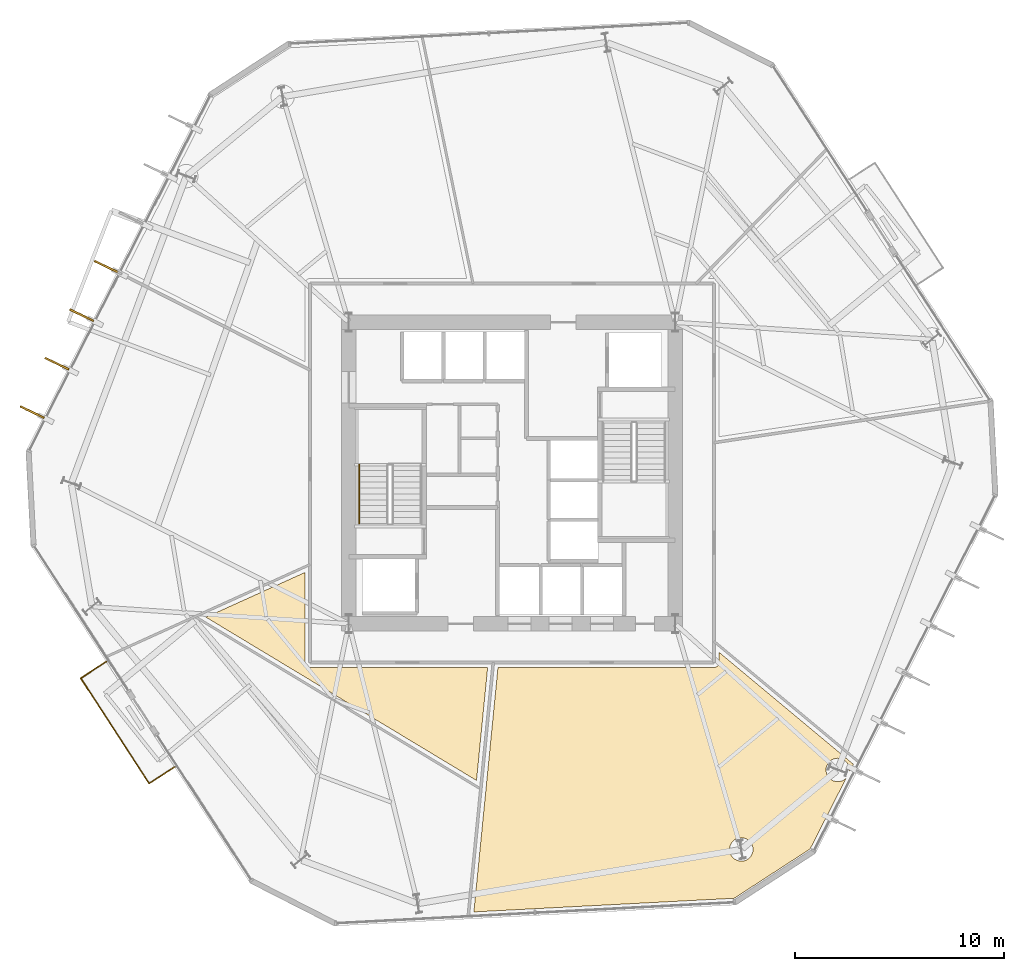
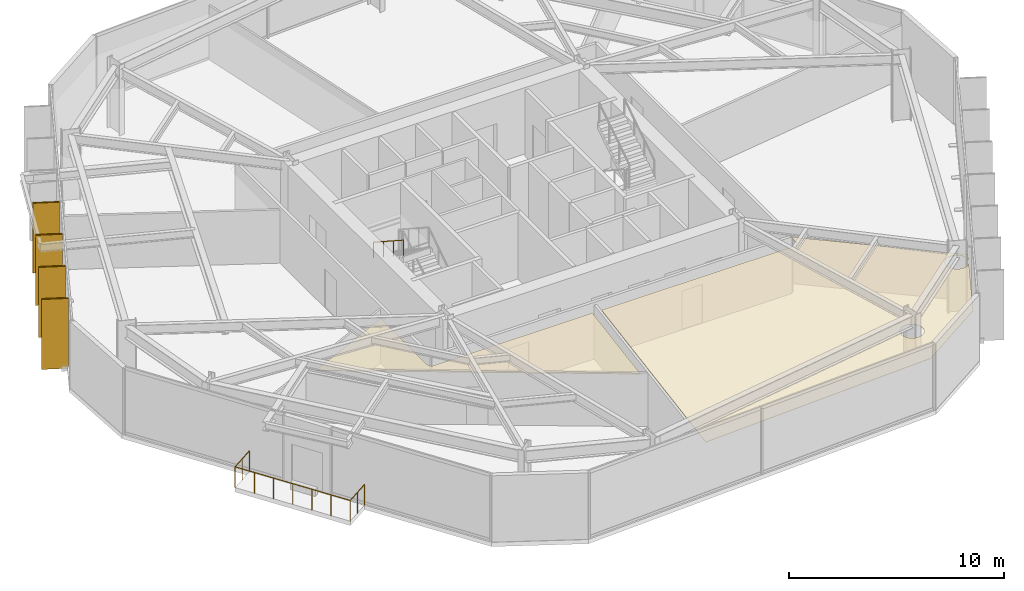
# One storey, part 8 of 10: 6 coverings, 4 shading devices, 2 railings.
"""IFC4 building model written with IfcOpenShell, lengths in metres."""

import ifcopenshell
import ifcopenshell.guid

model = None  # the IFC model being written
_history = None  # IfcOwnerHistory: only IFC2X3 demands one
_inside = {}  # id of a spatial element -> (the spatial element, [elements in it])
_under = {}  # id of a project, library or spatial element -> (it, [spatial elements below it])
_declared = {}  # id of a project -> (the project, [libraries it declares])
_typed = {}  # id of a type object -> (the type object, [elements of that type])
_made_of = {}  # id of a material, layer set ... -> (it, [elements and type objects made of it])


def new_model(schema):
    """Start an empty IFC model of exactly this schema.

    Asked for "IFC4X3", IfcOpenShell would pick the latest addendum, in which some entities
    have other attributes; the version numbers below select the first issue.
    IFC2X3 requires an IfcOwnerHistory on every rooted entity: one is made here for all.
    """
    global model, _history
    if schema == "IFC4X3":
        model = ifcopenshell.file(schema_version=(4, 3, 0, 0))
    else:
        model = ifcopenshell.file(schema=schema)
    _inside.clear()
    _under.clear()
    _declared.clear()
    _typed.clear()
    _made_of.clear()
    _history = None
    if model.schema == "IFC2X3":
        org = make("IfcOrganization", Name="unknown")
        user = make(
            "IfcPersonAndOrganization",
            ThePerson=make("IfcPerson", FamilyName="unknown"),
            TheOrganization=org,
        )
        app = make(
            "IfcApplication",
            ApplicationDeveloper=org,
            Version="unknown",
            ApplicationFullName="unknown",
            ApplicationIdentifier="unknown",
        )
        _history = make(
            "IfcOwnerHistory",
            OwningUser=user,
            OwningApplication=app,
            ChangeAction="ADDED",
            CreationDate=0,
        )
    return model


def make(cls, **values):
    """One entity of the class cls with the attributes given. An attribute that is None is left unset."""
    return model.create_entity(
        cls, **{name: value for name, value in values.items() if value is not None}
    )


def rooted(cls, **values):
    """An entity with a GlobalId (a new one), such as an element, a storey or a relation."""
    return make(cls, GlobalId=ifcopenshell.guid.new(), OwnerHistory=_history, **values)


def si_unit(unit_type, name, prefix=None):
    """IfcSIUnit, for example si_unit("LENGTHUNIT", "METRE", prefix="MILLI")."""
    return make("IfcSIUnit", UnitType=unit_type, Prefix=prefix, Name=name)


def assignment(units):
    """IfcUnitAssignment: the units of a project."""
    return None if units is None else make("IfcUnitAssignment", Units=units)


def point(xyz):
    """IfcCartesianPoint."""
    return None if xyz is None else make("IfcCartesianPoint", Coordinates=xyz)


def direction(xyz):
    """IfcDirection."""
    return None if xyz is None else make("IfcDirection", DirectionRatios=xyz)


def frame(location, z_axis=None, x_axis=None):
    """IfcAxis2Placement3D, a coordinate frame: its origin and axes. An axis left out is left unset."""
    return make(
        "IfcAxis2Placement3D",
        Location=point(location),
        Axis=direction(z_axis),
        RefDirection=direction(x_axis),
    )


def frame_2d(location, x_axis=None):
    """IfcAxis2Placement2D, a coordinate frame in the plane: its origin and x axis."""
    return make(
        "IfcAxis2Placement2D", Location=point(location), RefDirection=direction(x_axis)
    )


def origin():
    """The frame at (0, 0, 0) with its axes left unset."""
    return frame((0.0, 0.0, 0.0))


def origin_2d():
    """The frame at (0, 0) in the plane with its x axis left unset."""
    return frame_2d((0.0, 0.0))


def place(relative_to, where):
    """IfcLocalPlacement: puts the frame where relative to a parent placement (None: the world)."""
    return make(
        "IfcLocalPlacement", PlacementRelTo=relative_to, RelativePlacement=where
    )


def context(
    kind, dimensions, precision=None, world=None, true_north=None, identifier=None
):
    """IfcGeometricRepresentationContext, for example the 3D "Model" context."""
    return make(
        "IfcGeometricRepresentationContext",
        ContextIdentifier=identifier,
        ContextType=kind,
        CoordinateSpaceDimension=dimensions,
        Precision=precision,
        WorldCoordinateSystem=world,
        TrueNorth=true_north,
    )


def subcontext(parent, identifier, kind, view, scale=None):
    """IfcGeometricRepresentationSubContext, for example "Body" below "Model"."""
    return make(
        "IfcGeometricRepresentationSubContext",
        ContextIdentifier=identifier,
        ContextType=kind,
        ParentContext=parent,
        TargetScale=scale,
        TargetView=view,
    )


def project(units=None, contexts=None):
    """IfcProject with its units and contexts."""
    return rooted(
        "IfcProject",
        Name="project",
        RepresentationContexts=contexts,
        UnitsInContext=assignment(units),
    )


def spatial(cls, under=None, at=None, **own):
    """A site, building, storey or space (cls), placed at a placement, below another one or the project."""
    s = rooted(cls, ObjectPlacement=at, **own)
    if under is not None:
        _under.setdefault(under.id(), (under, []))[1].append(s)
    return s


def polyline(points):
    """IfcPolyline through the points."""
    return make("IfcPolyline", Points=[point(p) for p in points])


def profile(cls, at=None, kind="AREA", **sizes):
    """A parametric profile (cls). Its sizes go by their IFC names, for example OverallWidth=200.0."""
    return make(cls, ProfileType=kind, Position=at, **sizes)


def rectangle(**sizes):
    """IfcRectangleProfileDef."""
    return profile("IfcRectangleProfileDef", **sizes)


def circle(**sizes):
    """IfcCircleProfileDef."""
    return profile("IfcCircleProfileDef", **sizes)


def outline(outer, holes=None, kind="AREA"):
    """IfcArbitraryClosedProfileDef: a profile drawn as a closed curve; with holes, ...WithVoids."""
    if holes is None:
        return make("IfcArbitraryClosedProfileDef", ProfileType=kind, OuterCurve=outer)
    return make(
        "IfcArbitraryProfileDefWithVoids",
        ProfileType=kind,
        OuterCurve=outer,
        InnerCurves=holes,
    )


def extrude(swept, where, along, depth):
    """IfcExtrudedAreaSolid: the profile swept, set in the frame where, extruded along a direction by depth."""
    return make(
        "IfcExtrudedAreaSolid",
        SweptArea=swept,
        Position=where,
        ExtrudedDirection=direction(along),
        Depth=depth,
    )


def shape(context_of_items, identifier, shape_type, items):
    """IfcShapeRepresentation: the items that make up one representation, for example the "Body"."""
    return make(
        "IfcShapeRepresentation",
        ContextOfItems=context_of_items,
        RepresentationIdentifier=identifier,
        RepresentationType=shape_type,
        Items=items,
    )


def material(Name=None, Category=None):
    """IfcMaterial."""
    return make("IfcMaterial", Name=Name, Category=Category)


def layer(
    of_material, thickness, ventilated=None, Name=None, Category=None, Priority=None
):
    """IfcMaterialLayer: one layer of a wall or slab, of a material (None: an air gap)."""
    return make(
        "IfcMaterialLayer",
        Material=of_material,
        LayerThickness=thickness,
        IsVentilated=ventilated,
        Name=Name,
        Category=Category,
        Priority=Priority,
    )


def layer_set(layers, Name=None):
    """IfcMaterialLayerSet."""
    return make("IfcMaterialLayerSet", MaterialLayers=layers, LayerSetName=Name)


def made_of(thing, what):
    """Note that an element or type object is made of a material, layer set ...; save() writes the relation."""
    if what is not None:
        _made_of.setdefault(what.id(), (what, []))[1].append(thing)
    return thing


def type_object(cls, material=None, **own):
    """A type object (cls), such as IfcWallType, which elements share."""
    return made_of(rooted(cls, **own), material)


def element(
    cls,
    number,
    at=None,
    inside=None,
    cuts=None,
    type_object=None,
    material=None,
    context=None,
    identifier="Body",
    shape_type=None,
    held_by="IfcProductDefinitionShape",
    body=None,
    shapes=None,
    **own,
):
    """One element of the class cls, such as IfcWall. Its Tag is "e" and its number.

    at: its placement. inside: the storey or other place that contains it. cuts: it is an
    opening in that element (IfcRelVoidsElement). A single representation is given by context,
    identifier, shape_type and body (its items); several are given by shapes. held_by: the class
    of the entity that holds the representations. save() writes the other relations.
    """
    e = rooted(cls, Tag="e%d" % number, ObjectPlacement=at, **own)
    if body is not None:
        shapes = [shape(context, identifier, shape_type, body)]
    if shapes is not None:
        e.Representation = make(held_by, Representations=shapes)
    if inside is not None:
        _inside.setdefault(inside.id(), (inside, []))[1].append(e)
    if cuts is not None:
        rooted(
            "IfcRelVoidsElement", RelatingBuildingElement=cuts, RelatedOpeningElement=e
        )
    if type_object is not None:
        _typed.setdefault(type_object.id(), (type_object, []))[1].append(e)
    return made_of(e, material)


def aggregate(whole, parts):
    """IfcRelAggregates: a whole, such as a stair, and the parts it consists of."""
    return rooted("IfcRelAggregates", RelatingObject=whole, RelatedObjects=parts)


def save(model, path):
    """Write the relations noted so far, then the file.

    IfcRelAggregates (storeys below a building ...), IfcRelContainedInSpatialStructure (elements
    in a storey), IfcRelDefinesByType, IfcRelAssociatesMaterial and IfcRelDeclares: one each for
    every whole, place, type object, material and project.
    """
    for whole, parts in _under.values():
        aggregate(whole, parts)
    for where, things in _inside.values():
        rooted(
            "IfcRelContainedInSpatialStructure",
            RelatedElements=things,
            RelatingStructure=where,
        )
    for kind, things in _typed.values():
        rooted("IfcRelDefinesByType", RelatedObjects=things, RelatingType=kind)
    for what, things in _made_of.values():
        rooted("IfcRelAssociatesMaterial", RelatedObjects=things, RelatingMaterial=what)
    for by, libraries in _declared.values():
        rooted("IfcRelDeclares", RelatingContext=by, RelatedDefinitions=libraries)
    model.write(path)


model = new_model("IFC4")

# Units and contexts
model_context = context("Model", 3, precision=1e-05, world=origin(), true_north=direction((0.0, 1.0)))
body_context = subcontext(model_context, "Body", "Model", "MODEL_VIEW")
ifc_project = project(units=[si_unit("LENGTHUNIT", "METRE"), si_unit("AREAUNIT", "SQUARE_METRE"), si_unit("VOLUMEUNIT", "CUBIC_METRE"), si_unit("PLANEANGLEUNIT", "RADIAN"), si_unit("MASSUNIT", "GRAM", prefix="KILO")], contexts=[model_context])

# Site, building, storey
site_placement = place(None, origin())
site = spatial("IfcSite", under=ifc_project, at=site_placement, CompositionType="ELEMENT")
building_placement = place(site_placement, origin())
building = spatial("IfcBuilding", under=site, at=building_placement, Name="Kranzbogen Civic Tower", CompositionType="ELEMENT")
storey_placement = place(building_placement, frame((0.0, 0.0, 32.0)))
storey = spatial("IfcBuildingStorey", under=building, at=storey_placement, Name="L07", CompositionType="ELEMENT", Elevation=32.0)

# Coverings
ifc_material_1 = material(Name="Pale Anodised Aluminium", Category="aluminium")
ifc_layer_1 = layer(ifc_material_1, 0.02490234375, Name="Pale Anodised Aluminium")
ifc_layer_set_1 = layer_set([ifc_layer_1], Name="Pale Anodised Aluminium")
covering_type_1 = type_object("IfcCoveringType", Name="Anodised Aluminium Vertical Fin Cladding 25 mm", PredefinedType="CLADDING", material=ifc_layer_set_1)
for number, where, z_axis, x_axis, name in (
    (1, (5.614013671875, 34.861083984375, -0.139892578125), (0.0, 0.0, 1.0), (-0.901190522124, 0.433423168316, 0.0), "L07 vertical fin pale-metal cladding F3-4"),
    (2, (4.43408203125, 32.544921875, -0.139892578125), (0.0, 0.0, 1.0), (-0.901190522124, 0.433423168316, 0.0), "L07 vertical fin pale-metal cladding F3-5"),
    (3, (3.2529296875, 30.22802734375, -0.139892578125), (0.0, 0.0, 1.0), (-0.901190522124, 0.433423168316, 0.0), "L07 vertical fin pale-metal cladding F3-6"),
    (4, (2.072998046875, 27.910888671875, -0.139892578125), (0.0, 0.0, 1.0), (-0.901190522124, 0.433423168316, 0.0), "L07 vertical fin pale-metal cladding F3-7"),
):
    element("IfcCovering", number, at=place(storey_placement, frame(where, z_axis=z_axis, x_axis=x_axis)), inside=storey, type_object=covering_type_1, Name=name, PredefinedType="CLADDING", context=body_context, shape_type="SweptSolid", body=[
        extrude(rectangle(XDim=1.25, YDim=0.10009765625, at=origin_2d()), origin(), (0.0, 0.0, 1.0), 3.9599609375),
    ])

# Shading devices
ifc_material_2 = material(Name="Anodised Bronze Aluminium", Category="aluminium")
shading_device_type = type_object("IfcShadingDeviceType", Name="Anodised Bronze Vertical Facade Fin 1250x80", PredefinedType="USERDEFINED", material=ifc_material_2)
for number, where, z_axis, x_axis, name in (
    (5, (5.614013671875, 34.861083984375, -0.139892578125), (0.0, 0.0, 1.0), (-0.901190522124, 0.433423168316, 0.0), "L07 vertical exterior shading fin F3-4"),
    (6, (4.43408203125, 32.544921875, -0.139892578125), (0.0, 0.0, 1.0), (-0.901190522124, 0.433423168316, 0.0), "L07 vertical exterior shading fin F3-5"),
    (7, (3.2529296875, 30.22802734375, -0.139892578125), (0.0, 0.0, 1.0), (-0.901190522124, 0.433423168316, 0.0), "L07 vertical exterior shading fin F3-6"),
    (8, (2.072998046875, 27.910888671875, -0.139892578125), (0.0, 0.0, 1.0), (-0.901190522124, 0.433423168316, 0.0), "L07 vertical exterior shading fin F3-7"),
):
    element("IfcShadingDevice", number, at=place(storey_placement, frame(where, z_axis=z_axis, x_axis=x_axis)), inside=storey, type_object=shading_device_type, Name=name, ObjectType="FIN", PredefinedType="USERDEFINED", context=body_context, shape_type="SweptSolid", body=[
        extrude(rectangle(XDim=1.25, YDim=0.080078125, at=origin_2d()), origin(), (0.0, 0.0, 1.0), 3.9599609375),
    ])

# Railing
railing_type_1 = type_object("IfcRailingType", Name="Cantilevered Balcony Glass and Bronze Balustrade 1200", PredefinedType="BALUSTRADE", material=ifc_material_2)
railing_1_placement = place(storey_placement, frame((5.60693359375, 15.98291015625, 0.0)))
element("IfcRailing", 9, at=railing_1_placement, inside=storey, type_object=railing_type_1, Name="L07 exterior terrace balustrade L07-TB1", PredefinedType="BALUSTRADE", context=body_context, shape_type="SweptSolid", body=[
    extrude(circle(Radius=0.02392578125, at=origin_2d()), frame((0.0, 0.0, 1.17578125), z_axis=(-0.838597474604, -0.544751572359, 0.0), x_axis=(0.544751572359, -0.838597474604, 0.0)), (0.0, 0.0, 1.0), 1.44970703125),
    extrude(circle(Radius=0.02392578125, at=origin_2d()), frame((-1.2158203125, -0.789794921875, 1.17578125), z_axis=(0.544622169208, -0.838681520487, 0.0), x_axis=(0.838681520487, 0.544622169208, 0.0)), (0.0, 0.0, 1.0), 6.000244140625),
    extrude(circle(Radius=0.02392578125, at=origin_2d()), frame((2.052001953125, -5.822021484375, 1.17578125), z_axis=(0.83857052467, 0.544793057183, 0.0), x_axis=(-0.544793057183, 0.83857052467, 0.0)), (0.0, 0.0, 1.0), 1.4501953125),
    extrude(circle(Radius=0.02099609375, at=origin_2d()), origin(), (0.0, 0.0, 1.0), 1.15185546875),
    extrude(circle(Radius=0.02099609375, at=origin_2d()), frame((-0.60791015625, -0.39501953125, 0.0)), (0.0, 0.0, 1.0), 1.15185546875),
    extrude(circle(Radius=0.02099609375, at=origin_2d()), frame((-1.2158203125, -0.789794921875, 0.0)), (0.0, 0.0, 1.0), 1.15185546875),
    extrude(circle(Radius=0.02099609375, at=origin_2d()), frame((-0.671142578125, -1.62841796875, 0.0)), (0.0, 0.0, 1.0), 1.15185546875),
    extrude(circle(Radius=0.02099609375, at=origin_2d()), frame((-0.12646484375, -2.46728515625, 0.0)), (0.0, 0.0, 1.0), 1.15185546875),
    extrude(circle(Radius=0.02099609375, at=origin_2d()), frame((0.41796875, -3.305908203125, 0.0)), (0.0, 0.0, 1.0), 1.15185546875),
    extrude(circle(Radius=0.02099609375, at=origin_2d()), frame((0.962646484375, -4.14453125, 0.0)), (0.0, 0.0, 1.0), 1.15185546875),
    extrude(circle(Radius=0.02099609375, at=origin_2d()), frame((1.50732421875, -4.9833984375, 0.0)), (0.0, 0.0, 1.0), 1.15185546875),
    extrude(circle(Radius=0.02099609375, at=origin_2d()), frame((2.052001953125, -5.822021484375, 0.0)), (0.0, 0.0, 1.0), 1.15185546875),
    extrude(circle(Radius=0.02099609375, at=origin_2d()), frame((2.66015625, -5.427001953125, 0.0)), (0.0, 0.0, 1.0), 1.15185546875),
    extrude(circle(Radius=0.02099609375, at=origin_2d()), frame((3.26806640625, -5.031982421875, 0.0)), (0.0, 0.0, 1.0), 1.15185546875),
])

# Coverings
ifc_material_3 = material(Name="Perforated Acoustic Gypsum Ceiling")
ifc_layer_2 = layer(ifc_material_3, 0.02490234375, Name="Perforated Acoustic Gypsum Ceiling")
ifc_layer_set_2 = layer_set([ifc_layer_2], Name="Perforated Acoustic Gypsum Ceiling")
covering_type_2 = type_object("IfcCoveringType", Name="Perforated Acoustic Mineral Ceiling Tile 25 mm", PredefinedType="CEILING", material=ifc_layer_set_2)
covering_1_placement = place(storey_placement, frame((0.0, 0.0, 2.75)))
element("IfcCovering", 10, at=covering_1_placement, inside=storey, type_object=covering_type_2, Name="L07 Directorate Admin Workspace acoustic ceiling", PredefinedType="CEILING", context=body_context, shape_type="SweptSolid", body=[
    extrude(outline(polyline([(15.10498046875, 15.949951171875), (15.10498046875, 15.94091796875), (15.10595703125, 15.93505859375), (15.10693359375, 15.9169921875), (15.10791015625, 15.910888671875), (15.112060546875, 15.89404296875), (15.113037109375, 15.886962890625), (15.117919921875, 15.8701171875), (15.1201171875, 15.864013671875), (15.126953125, 15.847900390625), (15.1298828125, 15.842041015625), (15.137939453125, 15.826904296875), (15.14208984375, 15.821044921875), (15.15087890625, 15.806884765625), (15.155029296875, 15.802001953125), (15.166015625, 15.7880859375), (15.1708984375, 15.782958984375), (15.18310546875, 15.77099609375), (15.18798828125, 15.76611328125), (15.201904296875, 15.7548828125), (15.20703125, 15.7509765625), (15.220947265625, 15.741943359375), (15.22705078125, 15.738037109375), (15.241943359375, 15.72998046875), (15.248046875, 15.72705078125), (15.263916015625, 15.719970703125), (15.27001953125, 15.718017578125), (15.287109375, 15.712890625), (15.2939453125, 15.7119140625), (15.31103515625, 15.7080078125), (15.31689453125, 15.70703125), (15.3349609375, 15.7060546875), (15.341064453125, 15.705078125), (15.35009765625, 15.705078125), (23.8369140625, 15.705078125), (23.303955078125, 10.30908203125), (10.376953125, 18.10791015625), (15.10498046875, 20.2490234375), (15.10498046875, 15.949951171875)])), origin(), (0.0, 0.0, 1.0), 0.02490234375),
])
covering_2_placement = place(storey_placement, frame((0.0, 0.0, 2.75)))
element("IfcCovering", 11, at=covering_2_placement, inside=storey, type_object=covering_type_2, Name="L07 Civic Reference Library acoustic ceiling", PredefinedType="CEILING", context=body_context, shape_type="SweptSolid", body=[
    extrude(outline(polyline([(35.617919921875, 4.677978515625), (23.177001953125, 4.02587890625), (24.3291015625, 15.705078125), (34.64990234375, 15.705078125), (34.658935546875, 15.705078125), (34.6650390625, 15.7060546875), (34.68310546875, 15.70703125), (34.68896484375, 15.7080078125), (34.7060546875, 15.7119140625), (34.712890625, 15.712890625), (34.72998046875, 15.718017578125), (34.736083984375, 15.719970703125), (34.751953125, 15.72705078125), (34.758056640625, 15.72998046875), (34.77294921875, 15.738037109375), (34.779052734375, 15.741943359375), (34.79296875, 15.7509765625), (34.798095703125, 15.7548828125), (34.81201171875, 15.76611328125), (34.81689453125, 15.77099609375), (34.8291015625, 15.782958984375), (34.833984375, 15.7880859375), (34.844970703125, 15.802001953125), (34.84912109375, 15.806884765625), (34.85791015625, 15.821044921875), (34.862060546875, 15.826904296875), (34.8701171875, 15.842041015625), (34.873046875, 15.847900390625), (34.8798828125, 15.864013671875), (34.882080078125, 15.8701171875), (34.886962890625, 15.886962890625), (34.887939453125, 15.89404296875), (34.89208984375, 15.910888671875), (34.89306640625, 15.9169921875), (34.89404296875, 15.93505859375), (34.89501953125, 15.94091796875), (34.89501953125, 15.949951171875), (34.89501953125, 16.43505859375), (41.31103515625, 11.087890625), (41.115966796875, 10.7041015625), (41.1240234375, 10.756103515625), (41.1259765625, 10.81103515625), (41.1240234375, 10.865966796875), (41.115966796875, 10.919921875), (41.10205078125, 10.972900390625), (41.083984375, 11.02490234375), (41.06005859375, 11.074951171875), (41.031982421875, 11.1220703125), (40.9990234375, 11.166015625), (40.962890625, 11.20703125), (40.922119140625, 11.242919921875), (40.8779296875, 11.27587890625), (40.8310546875, 11.303955078125), (40.781005859375, 11.327880859375), (40.72900390625, 11.345947265625), (40.676025390625, 11.360107421875), (40.6220703125, 11.367919921875), (40.56689453125, 11.3701171875), (40.511962890625, 11.367919921875), (40.4580078125, 11.360107421875), (40.405029296875, 11.345947265625), (40.35302734375, 11.327880859375), (40.302978515625, 11.303955078125), (40.256103515625, 11.27587890625), (40.2119140625, 11.242919921875), (40.1708984375, 11.20703125), (40.135009765625, 11.166015625), (40.10205078125, 11.1220703125), (40.073974609375, 11.074951171875), (40.050048828125, 11.02490234375), (40.031982421875, 10.972900390625), (40.01806640625, 10.919921875), (40.010009765625, 10.865966796875), (40.008056640625, 10.81103515625), (40.010009765625, 10.756103515625), (40.01806640625, 10.701904296875), (40.031982421875, 10.64892578125), (40.050048828125, 10.596923828125), (40.073974609375, 10.547119140625), (40.10205078125, 10.5), (40.135009765625, 10.4560546875), (40.1708984375, 10.4150390625), (40.2119140625, 10.37890625), (40.256103515625, 10.345947265625), (40.302978515625, 10.318115234375), (40.35302734375, 10.2939453125), (40.405029296875, 10.27587890625), (40.4580078125, 10.261962890625), (40.511962890625, 10.25390625), (40.56689453125, 10.251953125), (40.6220703125, 10.25390625), (40.676025390625, 10.261962890625), (40.72900390625, 10.27587890625), (40.781005859375, 10.2939453125), (40.8310546875, 10.318115234375), (40.8779296875, 10.345947265625), (40.922119140625, 10.37890625), (40.962890625, 10.4150390625), (40.97705078125, 10.431884765625), (39.24609375, 7.033935546875), (35.617919921875, 4.677978515625)]), holes=[polyline([(36.47509765625, 6.798095703125), (36.450927734375, 6.748046875), (36.423095703125, 6.700927734375), (36.389892578125, 6.656982421875), (36.35400390625, 6.615966796875), (36.31298828125, 6.580078125), (36.26904296875, 6.547119140625), (36.221923828125, 6.51904296875), (36.172119140625, 6.4951171875), (36.1201171875, 6.47705078125), (36.06689453125, 6.462890625), (36.012939453125, 6.455078125), (35.9580078125, 6.452880859375), (35.903076171875, 6.455078125), (35.84912109375, 6.462890625), (35.7958984375, 6.47705078125), (35.743896484375, 6.4951171875), (35.694091796875, 6.51904296875), (35.64697265625, 6.547119140625), (35.60302734375, 6.580078125), (35.56201171875, 6.615966796875), (35.52587890625, 6.656982421875), (35.492919921875, 6.700927734375), (35.465087890625, 6.748046875), (35.44091796875, 6.798095703125), (35.423095703125, 6.85009765625), (35.408935546875, 6.903076171875), (35.40087890625, 6.95703125), (35.39892578125, 7.011962890625), (35.40087890625, 7.06689453125), (35.408935546875, 7.12109375), (35.423095703125, 7.174072265625), (35.44091796875, 7.22607421875), (35.465087890625, 7.27587890625), (35.492919921875, 7.322998046875), (35.52587890625, 7.366943359375), (35.56201171875, 7.407958984375), (35.60302734375, 7.444091796875), (35.64697265625, 7.47705078125), (35.694091796875, 7.5048828125), (35.743896484375, 7.529052734375), (35.7958984375, 7.547119140625), (35.84912109375, 7.56103515625), (35.903076171875, 7.569091796875), (35.9580078125, 7.571044921875), (36.012939453125, 7.569091796875), (36.06689453125, 7.56103515625), (36.1201171875, 7.547119140625), (36.172119140625, 7.529052734375), (36.221923828125, 7.5048828125), (36.26904296875, 7.47705078125), (36.31298828125, 7.444091796875), (36.35400390625, 7.407958984375), (36.389892578125, 7.366943359375), (36.423095703125, 7.322998046875), (36.450927734375, 7.27587890625), (36.47509765625, 7.22607421875), (36.492919921875, 7.174072265625), (36.507080078125, 7.12109375), (36.514892578125, 7.06689453125), (36.51708984375, 7.011962890625), (36.514892578125, 6.95703125), (36.507080078125, 6.903076171875), (36.492919921875, 6.85009765625), (36.47509765625, 6.798095703125)])]), origin(), (0.0, 0.0, 1.0), 0.02490234375),
])

# Railing
railing_type_2 = type_object("IfcRailingType", Name="Tubular Stainless Stair Wall Handrail 900", PredefinedType="HANDRAIL", material=ifc_material_1)
railing_2_placement = place(storey_placement, frame((17.699951171875, 25.39990234375, 2.181884765625)))
element("IfcRailing", 12, at=railing_2_placement, inside=storey, type_object=railing_type_2, Name="L07 ST-T1 stair handrail 2", PredefinedType="HANDRAIL", context=body_context, shape_type="SweptSolid", body=[
    extrude(circle(Radius=0.02392578125, at=origin_2d()), frame((0.0, 0.0, 0.8759765625), z_axis=(0.0, -0.83868413941, 0.544618136222), x_axis=(1.0, 0.0, 0.0)), (0.0, 0.0, 1.0), 3.33837890625),
    extrude(circle(Radius=0.02099609375, at=origin_2d()), origin(), (0.0, 0.0, 1.0), 0.851806640625),
    extrude(circle(Radius=0.02099609375, at=origin_2d()), frame((0.0, -0.933349609375, 0.60595703125)), (0.0, 0.0, 1.0), 0.851806640625),
    extrude(circle(Radius=0.02099609375, at=origin_2d()), frame((0.0, -1.866455078125, 1.212158203125)), (0.0, 0.0, 1.0), 0.851806640625),
    extrude(circle(Radius=0.02099609375, at=origin_2d()), frame((0.0, -2.7998046875, 1.818115234375)), (0.0, 0.0, 1.0), 0.851806640625),
])

save(model, "model.ifc")
